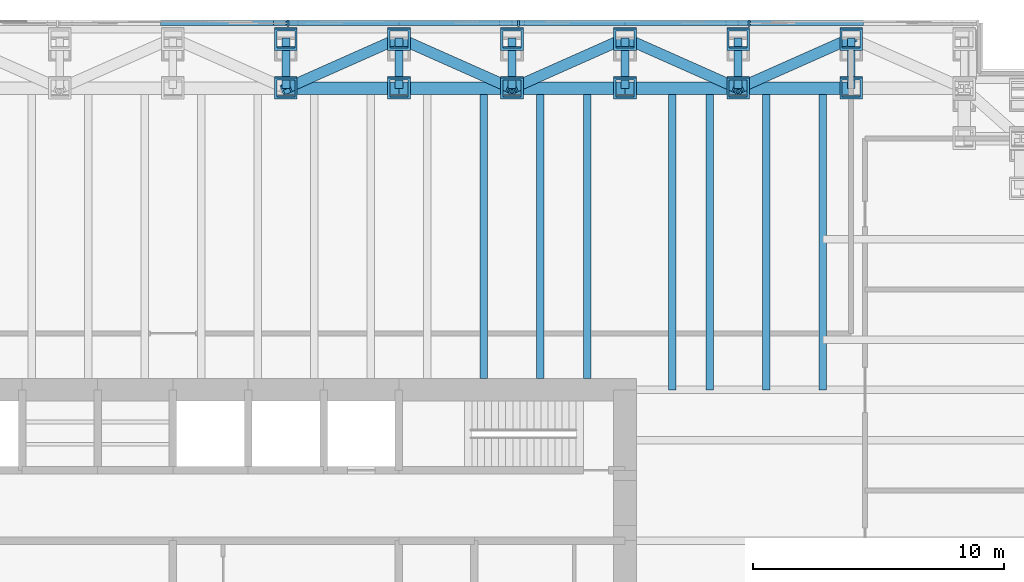
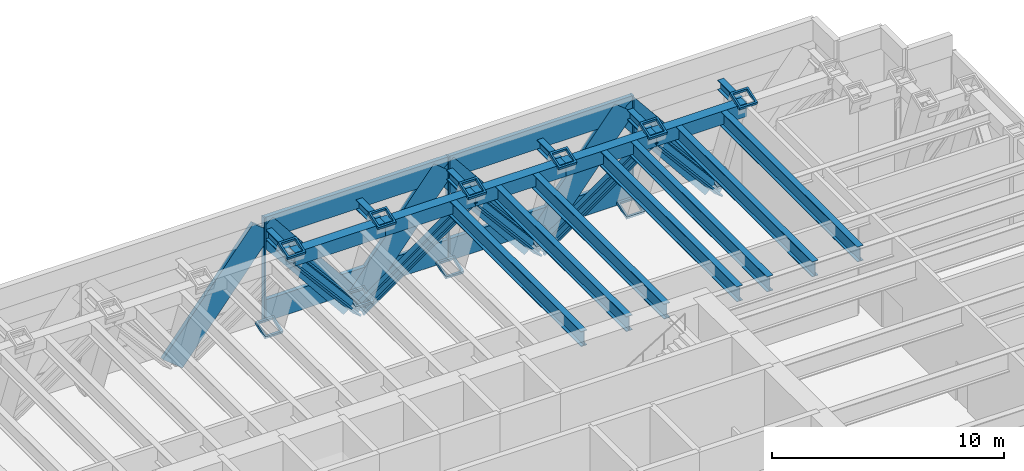
# One storey, part 7 of 16: 30 members, 18 beams, 1 element without a shape of its own.
"""IFC4 building model written with IfcOpenShell, lengths in metres."""

from ifc_helpers import new_model, si_unit, direction, frame, origin, origin_2d, place, context, subcontext, project, spatial, rectangle, hollow_rectangle, i_section, extrude, material, material_profile, profile_set, type_object, element, aggregate, save


model = new_model("IFC4")

# Units and contexts
model_context = context("Model", 3, precision=1e-05, world=origin(), true_north=direction((0.0, 1.0)))
body_context = subcontext(model_context, "Body", "Model", "MODEL_VIEW")
ifc_project = project(units=[si_unit("LENGTHUNIT", "METRE"), si_unit("AREAUNIT", "SQUARE_METRE"), si_unit("VOLUMEUNIT", "CUBIC_METRE"), si_unit("PLANEANGLEUNIT", "RADIAN"), si_unit("MASSUNIT", "GRAM", prefix="KILO")], contexts=[model_context])

# Site, building, storey
site_placement = place(None, origin())
site = spatial("IfcSite", under=ifc_project, at=site_placement, CompositionType="ELEMENT")
building_placement = place(site_placement, origin())
building = spatial("IfcBuilding", under=site, at=building_placement, Name="Rheinbord Bourse Tower", CompositionType="ELEMENT")
storey_placement = place(building_placement, frame((0.0, 0.0, 180.300048828125)))
storey = spatial("IfcBuildingStorey", under=building, at=storey_placement, Name="L40", CompositionType="ELEMENT", Elevation=180.300048828125)

# Beams
ifc_material_1 = material(Name="Steel S460M", Category="steel")
ifc_material_profile_1 = material_profile(ifc_material_1, hollow_rectangle(XDim=0.5, YDim=0.699951171875, WallThickness=0.0400390625, at=origin_2d()), Name="BOX 700x500x40")
ifc_profile_set_1 = profile_set([ifc_material_profile_1], Name="Steel S460M")
beam_type_1 = type_object("IfcBeamType", Name="BELT CHORD BOX 700x500x40", PredefinedType="SPANDREL", material=ifc_profile_set_1)
for number, where, z_axis, x_axis, name in (
    (1, (63.0, 44.0, 4.989990234375), (-1.0, 0.0, 0.0), (0.0, -1.0, 0.0), "Spandrel N-63-N-58.5 under L41"),
    (2, (58.5, 44.0, 4.989990234375), (-1.0, 0.0, 0.0), (0.0, -1.0, 0.0), "Spandrel N-58.5-N-54 under L41"),
    (3, (54.0, 44.0, 4.989990234375), (-1.0, 0.0, 0.0), (0.0, -1.0, 0.0), "Spandrel N-54-N-49.5 under L41"),
    (4, (49.5, 44.0, 4.989990234375), (-1.0, 0.0, 0.0), (0.0, -1.0, 0.0), "Spandrel N-49.5-N-45 under L41"),
    (5, (45.0, 44.0, 4.989990234375), (-1.0, 0.0, 0.0), (0.0, -1.0, 0.0), "Spandrel N-45-N-40.5 under L41"),
):
    element("IfcBeam", number, at=place(storey_placement, frame(where, z_axis=z_axis, x_axis=x_axis)), inside=storey, type_object=beam_type_1, Name=name, PredefinedType="SPANDREL", context=body_context, shape_type="SweptSolid", body=[
        extrude(hollow_rectangle(XDim=0.5, YDim=0.699951171875, WallThickness=0.0400390625, at=origin_2d()), origin(), (0.0, 0.0, 1.0), 4.5),
    ])

# Members
ifc_material_2 = material(Name="Steel S460", Category="steel")
ifc_material_profile_2 = material_profile(ifc_material_2, i_section(OverallWidth=0.431884765625, OverallDepth=0.498046875, WebThickness=0.0556640625, FlangeThickness=0.0888671875, at=origin_2d()), Name="HD 400x744")
ifc_profile_set_2 = profile_set([ifc_material_profile_2], Name="Steel S460")
member_type_1 = type_object("IfcMemberType", Name="BELT DIAGONAL HD 400x744", PredefinedType="STRUT", material=ifc_profile_set_2)
for number, where, z_axis, x_axis, name in (
    (6, (63.0, 46.0, -0.60009765625), (-0.604045441932, -0.268464640859, 0.750370468962), (0.406138466053, -0.91381154862, 0.0), "Belt truss diagonal N-63-N-58.5 L40"),
    (7, (54.0, 46.0, -0.60009765625), (0.604045441932, -0.268464640859, 0.750370468962), (0.406138466053, 0.91381154862, 0.0), "Belt truss diagonal N-58.5-N-54 L40"),
    (8, (54.0, 46.0, -0.60009765625), (-0.604045441932, -0.268464640859, 0.750370468962), (0.406138466053, -0.91381154862, 0.0), "Belt truss diagonal N-54-N-49.5 L40"),
    (9, (45.0, 46.0, -0.60009765625), (0.604045441932, -0.268464640859, 0.750370468962), (0.406138466053, 0.91381154862, 0.0), "Belt truss diagonal N-49.5-N-45 L40"),
    (10, (45.0, 46.0, -0.60009765625), (-0.604045441932, -0.268464640859, 0.750370468962), (0.406138466053, -0.91381154862, 0.0), "Belt truss diagonal N-45-N-40.5 L40"),
):
    element("IfcMember", number, at=place(storey_placement, frame(where, z_axis=z_axis, x_axis=x_axis)), inside=storey, type_object=member_type_1, Name=name, PredefinedType="STRUT", context=body_context, shape_type="SweptSolid", body=[
        extrude(i_section(OverallWidth=0.431884765625, OverallDepth=0.498046875, WebThickness=0.0556640625, FlangeThickness=0.0888671875, at=origin_2d()), origin(), (0.0, 0.0, 1.0), 7.44970703125),
    ])

# Curtain wall, members
ifc_material_3 = material(Name="Dark glass and black aluminium", Category="aluminium")
curtain_wall_type = type_object("IfcCurtainWallType", Name="CW5 DARK GLASS CURTAIN WALL", PredefinedType="USERDEFINED", material=ifc_material_3)
curtain_wall_placement = place(storey_placement, origin())
curtain_wall = element("IfcCurtainWall", 11, at=curtain_wall_placement, inside=storey, type_object=curtain_wall_type, Name="Curtain wall CW5 N L40", ObjectType="UNITISED CURTAIN WALL", PredefinedType="USERDEFINED")
ifc_material_4 = material(Name="Black anodised aluminium", Category="aluminium")
ifc_material_profile_3 = material_profile(ifc_material_4, rectangle(XDim=0.199951171875, YDim=1.259033203125, at=origin_2d()), Name="CW5 DIAGONAL MULLION 1259x200")
ifc_profile_set_3 = profile_set([ifc_material_profile_3], Name="Black anodised aluminium")
member_type_2 = type_object("IfcMemberType", Name="CW5 BLACK DIAGONAL MULLION", PredefinedType="USERDEFINED", material=ifc_profile_set_3)
member_1_placement = place(storey_placement, frame((63.0, 46.60009765625, -0.60009765625), z_axis=(-0.627065297878, 0.0, 0.778966695178), x_axis=(0.0, -1.0, 0.0)))
member_1 = element("IfcMember", 12, at=member_1_placement, type_object=member_type_2, Name="CW5 diagonal mullion belt N-63", ObjectType="DIAGONAL MULLION", PredefinedType="USERDEFINED", context=body_context, shape_type="SweptSolid", body=[
    extrude(rectangle(XDim=0.199951171875, YDim=1.259033203125, at=origin_2d()), origin(), (0.0, 0.0, 1.0), 7.17626953125),
])
member_2_placement = place(storey_placement, frame((54.0, 46.60009765625, -0.60009765625), z_axis=(0.627065297878, 0.0, 0.778966695178), x_axis=(0.0, 1.0, 0.0)))
member_2 = element("IfcMember", 13, at=member_2_placement, type_object=member_type_2, Name="CW5 diagonal mullion belt N-58.5", ObjectType="DIAGONAL MULLION", PredefinedType="USERDEFINED", context=body_context, shape_type="SweptSolid", body=[
    extrude(rectangle(XDim=0.199951171875, YDim=1.259033203125, at=origin_2d()), origin(), (0.0, 0.0, 1.0), 7.17626953125),
])
member_3_placement = place(storey_placement, frame((54.0, 46.60009765625, -0.60009765625), z_axis=(-0.627065297878, 0.0, 0.778966695178), x_axis=(0.0, -1.0, 0.0)))
member_3 = element("IfcMember", 14, at=member_3_placement, type_object=member_type_2, Name="CW5 diagonal mullion belt N-54", ObjectType="DIAGONAL MULLION", PredefinedType="USERDEFINED", context=body_context, shape_type="SweptSolid", body=[
    extrude(rectangle(XDim=0.199951171875, YDim=1.259033203125, at=origin_2d()), origin(), (0.0, 0.0, 1.0), 7.17626953125),
])
member_4_placement = place(storey_placement, frame((45.0, 46.60009765625, -0.60009765625), z_axis=(0.627065297878, 0.0, 0.778966695178), x_axis=(0.0, 1.0, 0.0)))
member_4 = element("IfcMember", 15, at=member_4_placement, type_object=member_type_2, Name="CW5 diagonal mullion belt N-49.5", ObjectType="DIAGONAL MULLION", PredefinedType="USERDEFINED", context=body_context, shape_type="SweptSolid", body=[
    extrude(rectangle(XDim=0.199951171875, YDim=1.259033203125, at=origin_2d()), origin(), (0.0, 0.0, 1.0), 7.17626953125),
])
member_5_placement = place(storey_placement, frame((45.0, 46.60009765625, -0.60009765625), z_axis=(-0.627065297878, 0.0, 0.778966695178), x_axis=(0.0, -1.0, 0.0)))
member_5 = element("IfcMember", 16, at=member_5_placement, type_object=member_type_2, Name="CW5 diagonal mullion belt N-45", ObjectType="DIAGONAL MULLION", PredefinedType="USERDEFINED", context=body_context, shape_type="SweptSolid", body=[
    extrude(rectangle(XDim=0.199951171875, YDim=1.259033203125, at=origin_2d()), origin(), (0.0, 0.0, 1.0), 7.17626953125),
])
member_6_placement = place(storey_placement, frame((36.0, 46.60009765625, -0.60009765625), z_axis=(0.627065297878, 0.0, 0.778966695178), x_axis=(0.0, 1.0, 0.0)))
member_6 = element("IfcMember", 17, at=member_6_placement, type_object=member_type_2, Name="CW5 diagonal mullion belt N-40.5", ObjectType="DIAGONAL MULLION", PredefinedType="USERDEFINED", context=body_context, shape_type="SweptSolid", body=[
    extrude(rectangle(XDim=0.199951171875, YDim=1.259033203125, at=origin_2d()), origin(), (0.0, 0.0, 1.0), 7.17626953125),
])
ifc_material_5 = material(Name="Black anodised aluminium", Category="aluminium")
ifc_material_profile_4 = material_profile(ifc_material_5, rectangle(XDim=0.25, YDim=0.080078125, at=origin_2d()), Name="CW5 MULLION 80x250")
ifc_profile_set_4 = profile_set([ifc_material_profile_4], Name="Black anodised aluminium")
member_type_3 = type_object("IfcMemberType", Name="CW5 BLACK MULLION", PredefinedType="MULLION", material=ifc_profile_set_4)
member_7_placement = place(storey_placement, frame((58.928466796875, 46.60009765625, 0.0), z_axis=(0.0, 0.0, 1.0), x_axis=(0.0, -1.0, 0.0)))
member_7 = element("IfcMember", 18, at=member_7_placement, type_object=member_type_3, Name="CW5 mullion 2", PredefinedType="MULLION", context=body_context, shape_type="SweptSolid", body=[
    extrude(rectangle(XDim=0.25, YDim=0.080078125, at=origin_2d()), origin(), (0.0, 0.0, 1.0), 5.5),
])
member_8_placement = place(storey_placement, frame((49.757080078125, 46.60009765625, 0.0), z_axis=(0.0, 0.0, 1.0), x_axis=(0.0, -1.0, 0.0)))
member_8 = element("IfcMember", 19, at=member_8_placement, type_object=member_type_3, Name="CW5 mullion 3", PredefinedType="MULLION", context=body_context, shape_type="SweptSolid", body=[
    extrude(rectangle(XDim=0.25, YDim=0.080078125, at=origin_2d()), origin(), (0.0, 0.0, 1.0), 5.5),
])
member_9_placement = place(storey_placement, frame((40.585693359375, 46.60009765625, 0.0), z_axis=(0.0, 0.0, 1.0), x_axis=(0.0, -1.0, 0.0)))
member_9 = element("IfcMember", 20, at=member_9_placement, type_object=member_type_3, Name="CW5 mullion 4", PredefinedType="MULLION", context=body_context, shape_type="SweptSolid", body=[
    extrude(rectangle(XDim=0.25, YDim=0.080078125, at=origin_2d()), origin(), (0.0, 0.0, 1.0), 5.5),
])
ifc_material_6 = material(Name="Black anodised aluminium", Category="aluminium")
ifc_material_profile_5 = material_profile(ifc_material_6, rectangle(XDim=0.199951171875, YDim=1.14990234375, at=origin_2d()), Name="CW5 TRANSOM 1150x200")
ifc_profile_set_5 = profile_set([ifc_material_profile_5], Name="Black anodised aluminium")
member_type_4 = type_object("IfcMemberType", Name="CW5 BLACK TRANSOM", PredefinedType="USERDEFINED", material=ifc_profile_set_5)
member_10_placement = place(storey_placement, frame((58.888671875, 46.60009765625, 0.574951171875), z_axis=(-1.0, 0.0, 0.0), x_axis=(0.0, -1.0, 0.0)))
member_10 = element("IfcMember", 21, at=member_10_placement, type_object=member_type_4, Name="CW5 transom 2.1", ObjectType="TRANSOM", PredefinedType="USERDEFINED", context=body_context, shape_type="SweptSolid", body=[
    extrude(rectangle(XDim=0.199951171875, YDim=1.14990234375, at=origin_2d()), origin(), (0.0, 0.0, 1.0), 9.091552734375),
])
member_11_placement = place(storey_placement, frame((58.888671875, 46.60009765625, 4.925048828125), z_axis=(-1.0, 0.0, 0.0), x_axis=(0.0, -1.0, 0.0)))
member_11 = element("IfcMember", 22, at=member_11_placement, type_object=member_type_4, Name="CW5 transom 2.2", ObjectType="TRANSOM", PredefinedType="USERDEFINED", context=body_context, shape_type="SweptSolid", body=[
    extrude(rectangle(XDim=0.199951171875, YDim=1.14990234375, at=origin_2d()), origin(), (0.0, 0.0, 1.0), 9.091552734375),
])
member_12_placement = place(storey_placement, frame((49.717041015625, 46.60009765625, 0.574951171875), z_axis=(-1.0, 0.0, 0.0), x_axis=(0.0, -1.0, 0.0)))
member_12 = element("IfcMember", 23, at=member_12_placement, type_object=member_type_4, Name="CW5 transom 3.1", ObjectType="TRANSOM", PredefinedType="USERDEFINED", context=body_context, shape_type="SweptSolid", body=[
    extrude(rectangle(XDim=0.199951171875, YDim=1.14990234375, at=origin_2d()), origin(), (0.0, 0.0, 1.0), 9.09130859375),
])
member_13_placement = place(storey_placement, frame((49.717041015625, 46.60009765625, 4.925048828125), z_axis=(-1.0, 0.0, 0.0), x_axis=(0.0, -1.0, 0.0)))
member_13 = element("IfcMember", 24, at=member_13_placement, type_object=member_type_4, Name="CW5 transom 3.2", ObjectType="TRANSOM", PredefinedType="USERDEFINED", context=body_context, shape_type="SweptSolid", body=[
    extrude(rectangle(XDim=0.199951171875, YDim=1.14990234375, at=origin_2d()), origin(), (0.0, 0.0, 1.0), 9.09130859375),
])
aggregate(curtain_wall, [member_7, member_8, member_9, member_10, member_11, member_12, member_13, member_1, member_2, member_3, member_4, member_5, member_6])

# Beams
ifc_material_7 = material(Name="Steel S460", Category="steel")
ifc_material_profile_6 = material_profile(ifc_material_7, i_section(OverallWidth=0.300048828125, OverallDepth=0.800048828125, WebThickness=0.017578125, FlangeThickness=0.032958984375, at=origin_2d()), Name="HEB 800")
ifc_profile_set_6 = profile_set([ifc_material_profile_6], Name="Steel S460")
beam_type_2 = type_object("IfcBeamType", Name="FLOOR BEAM HEB 800", PredefinedType="BEAM", material=ifc_profile_set_6)
for number, where, z_axis, x_axis, name in (
    (25, (48.375, 44.0, 4.93994140625), (0.0, -1.0, 0.0), (1.0, 0.0, 0.0), "Floor beam N-45b L41"),
    (26, (50.625, 44.0, 4.93994140625), (0.0, -1.0, 0.0), (1.0, 0.0, 0.0), "Floor beam N-49.5a L41"),
    (27, (52.5, 44.0, 4.93994140625), (0.0, -1.0, 0.0), (1.0, 0.0, 0.0), "Floor beam N-49.5b L41"),
):
    element("IfcBeam", number, at=place(storey_placement, frame(where, z_axis=z_axis, x_axis=x_axis)), inside=storey, type_object=beam_type_2, Name=name, PredefinedType="BEAM", context=body_context, shape_type="SweptSolid", body=[
        extrude(i_section(OverallWidth=0.300048828125, OverallDepth=0.800048828125, WebThickness=0.017578125, FlangeThickness=0.032958984375, at=origin_2d()), origin(), (0.0, 0.0, 1.0), 11.550048828125),
    ])
for number, where, z_axis, x_axis, name in (
    (28, (55.875, 44.0, 4.93994140625), (0.0, -1.0, 0.0), (1.0, 0.0, 0.0), "Floor beam N-54a L41"),
    (29, (57.375, 44.0, 4.93994140625), (0.0, -1.0, 0.0), (1.0, 0.0, 0.0), "Floor beam N-54b L41"),
    (30, (59.625, 44.0, 4.93994140625), (0.0, -1.0, 0.0), (1.0, 0.0, 0.0), "Floor beam N-58.5a L41"),
    (31, (61.875, 44.0, 4.93994140625), (0.0, -1.0, 0.0), (1.0, 0.0, 0.0), "Floor beam N-58.5b L41"),
):
    element("IfcBeam", number, at=place(storey_placement, frame(where, z_axis=z_axis, x_axis=x_axis)), inside=storey, type_object=beam_type_2, Name=name, PredefinedType="BEAM", context=body_context, shape_type="SweptSolid", body=[
        extrude(i_section(OverallWidth=0.300048828125, OverallDepth=0.800048828125, WebThickness=0.017578125, FlangeThickness=0.032958984375, at=origin_2d()), origin(), (0.0, 0.0, 1.0), 12.0),
    ])

# Members
ifc_material_8 = material(Name="Steel S460M", Category="steel")
ifc_material_profile_7 = material_profile(ifc_material_8, hollow_rectangle(XDim=0.89990234375, YDim=0.89990234375, WallThickness=0.090087890625, at=origin_2d()), Name="BOX 900x900x90")
ifc_profile_set_7 = profile_set([ifc_material_profile_7], Name="Steel S460M")
member_type_5 = type_object("IfcMemberType", Name="RAKING NODE PIECE BOX 900x900x90", PredefinedType="USERDEFINED", material=ifc_profile_set_7)
for number, where, z_axis, x_axis, name in (
    (32, (63.0, 46.0, 0.0), (0.0, -0.341861886176, 0.939750206587), (0.0, 0.939750206587, 0.341861886176), "Node piece N-63 L40 foot"),
    (33, (63.0, 44.056396484375, 5.344970703125), (0.0, -0.341861886176, 0.939750206587), (0.0, 0.939750206587, 0.341861886176), "Node piece N-63 L40 head"),
    (34, (58.5, 46.0, 0.0), (0.0, -0.341861886176, 0.939750206587), (0.0, 0.939750206587, 0.341861886176), "Node piece N-58.5 L40 foot"),
    (35, (58.5, 44.056396484375, 5.344970703125), (0.0, -0.341861886176, 0.939750206587), (0.0, 0.939750206587, 0.341861886176), "Node piece N-58.5 L40 head"),
    (36, (54.0, 46.0, 0.0), (0.0, -0.341861886176, 0.939750206587), (0.0, 0.939750206587, 0.341861886176), "Node piece N-54 L40 foot"),
    (37, (54.0, 44.056396484375, 5.344970703125), (0.0, -0.341861886176, 0.939750206587), (0.0, 0.939750206587, 0.341861886176), "Node piece N-54 L40 head"),
    (38, (49.5, 46.0, 0.0), (0.0, -0.341861886176, 0.939750206587), (0.0, 0.939750206587, 0.341861886176), "Node piece N-49.5 L40 foot"),
    (39, (49.5, 44.056396484375, 5.344970703125), (0.0, -0.341861886176, 0.939750206587), (0.0, 0.939750206587, 0.341861886176), "Node piece N-49.5 L40 head"),
    (40, (45.0, 46.0, 0.0), (0.0, -0.341861886176, 0.939750206587), (0.0, 0.939750206587, 0.341861886176), "Node piece N-45 L40 foot"),
    (41, (45.0, 44.056396484375, 5.344970703125), (0.0, -0.341861886176, 0.939750206587), (0.0, 0.939750206587, 0.341861886176), "Node piece N-45 L40 head"),
    (42, (40.5, 46.0, 0.0), (0.0, -0.341861886176, 0.939750206587), (0.0, 0.939750206587, 0.341861886176), "Node piece N-40.5 L40 foot"),
    (43, (40.5, 44.056396484375, 5.344970703125), (0.0, -0.341861886176, 0.939750206587), (0.0, 0.939750206587, 0.341861886176), "Node piece N-40.5 L40 head"),
):
    element("IfcMember", number, at=place(storey_placement, frame(where, z_axis=z_axis, x_axis=x_axis)), inside=storey, type_object=member_type_5, Name=name, ObjectType="NODE PIECE", PredefinedType="USERDEFINED", context=body_context, shape_type="SweptSolid", body=[
        extrude(hollow_rectangle(XDim=0.89990234375, YDim=0.89990234375, WallThickness=0.090087890625, at=origin_2d()), origin(), (0.0, 0.0, 1.0), 0.1650390625),
    ])

# Beams
ifc_material_9 = material(Name="Steel S460", Category="steel")
ifc_material_profile_8 = material_profile(ifc_material_9, i_section(OverallWidth=0.305908203125, OverallDepth=0.52392578125, WebThickness=0.02099609375, FlangeThickness=0.0400390625, at=origin_2d()), Name="HEM 500")
ifc_profile_set_8 = profile_set([ifc_material_profile_8], Name="Steel S460")
beam_type_3 = type_object("IfcBeamType", Name="SETBACK OUTLOOKER HEM 500", PredefinedType="BEAM", material=ifc_profile_set_8)
for number, where, z_axis, x_axis, name in (
    (44, (63.0, 44.0, 4.988037109375), (0.0, 1.0, 0.0), (-1.0, 0.0, 0.0), "Setback outlooker N-63 L41"),
    (45, (58.5, 44.0, 4.988037109375), (0.0, 1.0, 0.0), (-1.0, 0.0, 0.0), "Setback outlooker N-58.5 L41"),
    (46, (54.0, 44.0, 4.988037109375), (0.0, 1.0, 0.0), (-1.0, 0.0, 0.0), "Setback outlooker N-54 L41"),
    (47, (49.5, 44.0, 4.988037109375), (0.0, 1.0, 0.0), (-1.0, 0.0, 0.0), "Setback outlooker N-49.5 L41"),
    (48, (45.0, 44.0, 4.988037109375), (0.0, 1.0, 0.0), (-1.0, 0.0, 0.0), "Setback outlooker N-45 L41"),
    (49, (40.5, 44.0, 4.988037109375), (0.0, 1.0, 0.0), (-1.0, 0.0, 0.0), "Setback outlooker N-40.5 L41"),
):
    element("IfcBeam", number, at=place(storey_placement, frame(where, z_axis=z_axis, x_axis=x_axis)), inside=storey, type_object=beam_type_3, Name=name, PredefinedType="BEAM", context=body_context, shape_type="SweptSolid", body=[
        extrude(i_section(OverallWidth=0.305908203125, OverallDepth=0.52392578125, WebThickness=0.02099609375, FlangeThickness=0.0400390625, at=origin_2d()), origin(), (0.0, 0.0, 1.0), 2.0),
    ])

save(model, "model.ifc")
